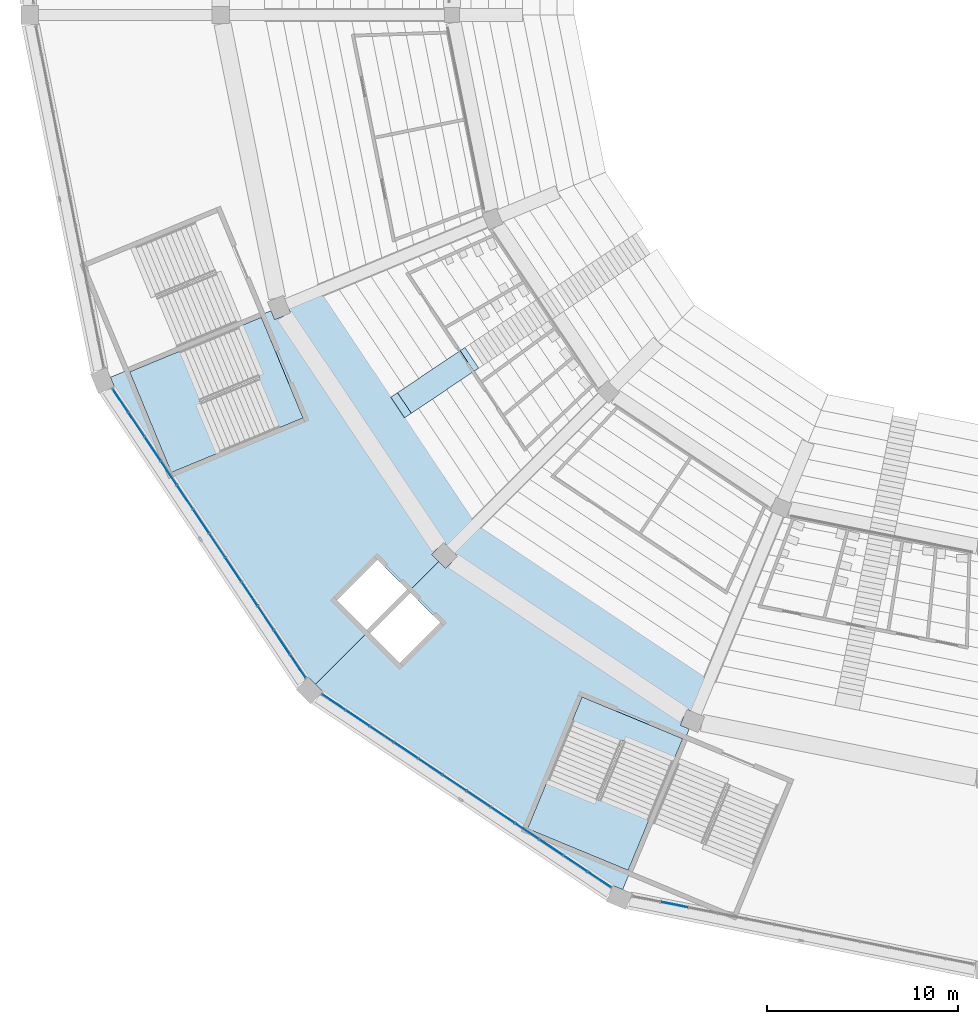
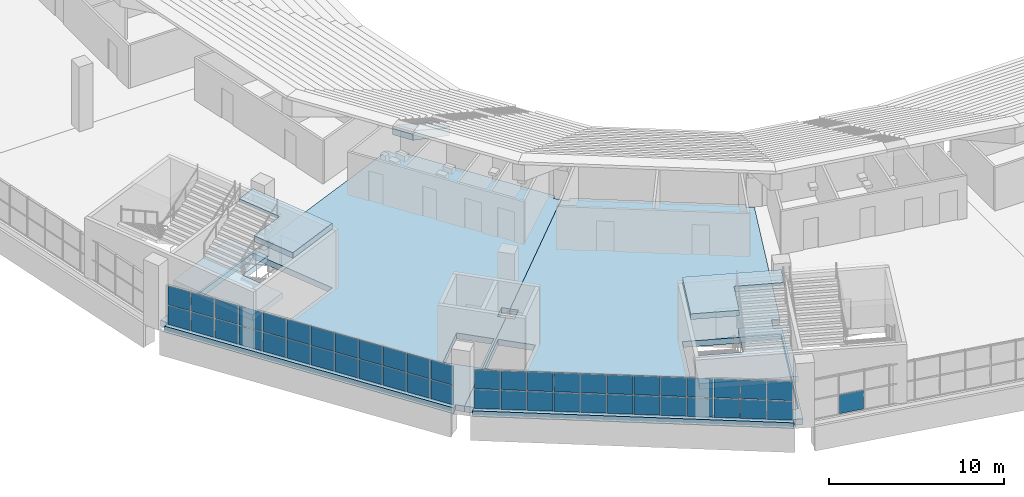
# One storey, part 62 of 249: 49 plates, 7 slabs, 5 elements without a shape of their own.
"""IFC4 building model written with IfcOpenShell, lengths in metres."""

from ifc_helpers import new_model, si_unit, direction, frame, origin, origin_2d, place, context, subcontext, project, spatial, polyline, rectangle, outline, extrude, material, layer, layer_set, type_object, element, aggregate, save


model = new_model("IFC4")

# Units and contexts
model_context = context("Model", 3, precision=1e-05, world=origin(), true_north=direction((0.0, 1.0)))
body_context = subcontext(model_context, "Body", "Model", "MODEL_VIEW")
ifc_project = project(units=[si_unit("LENGTHUNIT", "METRE"), si_unit("AREAUNIT", "SQUARE_METRE"), si_unit("VOLUMEUNIT", "CUBIC_METRE"), si_unit("PLANEANGLEUNIT", "RADIAN"), si_unit("MASSUNIT", "GRAM", prefix="KILO")], contexts=[model_context])

# Site, building, storey
site_placement = place(None, origin())
site = spatial("IfcSite", under=ifc_project, at=site_placement, CompositionType="ELEMENT")
building_placement = place(site_placement, origin())
building = spatial("IfcBuilding", under=site, at=building_placement, Name="Ogive Plaza Stadium", CompositionType="ELEMENT")
storey_placement = place(building_placement, frame((0.0, 0.0, 13.5)))
storey = spatial("IfcBuildingStorey", under=building, at=storey_placement, Name="L03", CompositionType="ELEMENT", Elevation=13.5)

# Slab
ifc_material_1 = material(Name="Concrete C40/50", Category="concrete")
ifc_layer_1 = layer(ifc_material_1, 0.81640625)
ifc_layer_set_1 = layer_set([ifc_layer_1], Name="Concrete C40/50")
ifc_layer_2 = layer(ifc_material_1, 0.449951171875)
ifc_layer_set_2 = layer_set([ifc_layer_2], Name="Concrete C40/50")
slab_type_1 = type_object("IfcSlabType", Name="Aisle stair slab 1300", PredefinedType="USERDEFINED", material=ifc_layer_set_2)
slab_1_placement = place(storey_placement, frame((-60.8564453125, -70.44482421875, -13.5), z_axis=(0.0, 0.0, 1.0), x_axis=(-0.831469612303, -0.55557023302, 0.0)))
element("IfcSlab", 1, at=slab_1_placement, inside=storey, type_object=slab_type_1, material=ifc_layer_set_1, Name="Aisle stair SA19U slab 3", ObjectType="AISLE STAIR SLAB", PredefinedType="USERDEFINED", context=body_context, shape_type="SweptSolid", body=[
    extrude(outline(polyline([(0.0, 20.0), (0.2958984375, 20.0), (4.25, 22.325927734375), (4.675537109375, 22.325927734375), (4.675537109375, 21.897705078125), (4.64990234375, 21.88330078125), (4.5, 21.800048828125), (4.35009765625, 21.716796875), (4.199951171875, 21.63330078125), (4.050048828125, 21.550048828125), (3.89990234375, 21.466796875), (3.75, 21.38330078125), (3.60009765625, 21.300048828125), (3.449951171875, 21.216796875), (3.300048828125, 21.13330078125), (3.14990234375, 21.050048828125), (3.0, 20.966796875), (2.85009765625, 20.88330078125), (2.699951171875, 20.800048828125), (2.550048828125, 20.716796875), (2.39990234375, 20.63330078125), (2.25, 20.550048828125), (2.10009765625, 20.466796875), (1.949951171875, 20.38330078125), (1.800048828125, 20.300048828125), (1.64990234375, 20.216796875), (1.5, 20.13330078125), (1.35009765625, 20.050048828125), (1.199951171875, 19.966796875), (1.050048828125, 19.88330078125), (0.89990234375, 19.800048828125), (0.75, 19.716796875), (0.60009765625, 19.63330078125), (0.449951171875, 19.550048828125), (0.300048828125, 19.466796875), (0.14990234375, 19.38330078125), (0.0, 19.300048828125), (0.0, 20.0)])), frame((0.0, 0.64990234375, 0.0), z_axis=(0.0, -1.0, 0.0), x_axis=(1.0, 0.0, 0.0)), (0.0, 0.0, 1.0), 1.300048828125),
])

# Curtain wall, plate
ifc_material_2 = material(Name="Bronze-anodised aluminium with laminated glass", Category="aluminium")
curtain_wall_type = type_object("IfcCurtainWallType", Name="Lancet curtain wall", PredefinedType="NOTDEFINED", material=ifc_material_2)
curtain_wall_1_placement = place(storey_placement, origin())
curtain_wall_1 = element("IfcCurtainWall", 2, at=curtain_wall_1_placement, inside=storey, type_object=curtain_wall_type, Name="CURTAIN WALL B17 L03", PredefinedType="NOTDEFINED")
ifc_material_3 = material(Name="Laminated glass", Category="glass")
ifc_layer_3 = layer(ifc_material_3, 0.028076171875)
ifc_layer_set_3 = layer_set([ifc_layer_3], Name="Laminated glass panel 28")
plate_type = type_object("IfcPlateType", Name="Laminated glass panel 28", PredefinedType="CURTAIN_PANEL", material=ifc_layer_set_3)
plate_1_placement = place(storey_placement, frame((-50.2470703125, -99.064453125, 0.0498046875), z_axis=(0.0, 0.0, 1.0), x_axis=(-0.9807852804, 0.195090322033, 0.0)))
plate_1 = element("IfcPlate", 3, at=plate_1_placement, type_object=plate_type, Name="CW-B17-L03 panel 11.1", PredefinedType="CURTAIN_PANEL", context=body_context, shape_type="SweptSolid", body=[
    extrude(rectangle(XDim=1.472412109375, YDim=0.028076171875, at=origin_2d()), origin(), (0.0, 0.0, 1.0), 1.320068359375),
])
aggregate(curtain_wall_1, [plate_1])

# Curtain wall, plates
curtain_wall_2_placement = place(storey_placement, origin())
curtain_wall_2 = element("IfcCurtainWall", 4, at=curtain_wall_2_placement, inside=storey, type_object=curtain_wall_type, Name="CURTAIN WALL B18 L03", PredefinedType="NOTDEFINED")
plate_2_placement = place(storey_placement, frame((-54.18212890625, -97.753173828125, 0.0498046875), z_axis=(0.0, 0.0, 1.0), x_axis=(-0.831469612303, 0.55557023302, 0.0)))
plate_2 = element("IfcPlate", 5, at=plate_2_placement, type_object=plate_type, Name="CW-B18-L03 panel 1.1", PredefinedType="CURTAIN_PANEL", context=body_context, shape_type="SweptSolid", body=[
    extrude(rectangle(XDim=1.447265625, YDim=0.028076171875, at=origin_2d()), origin(), (0.0, 0.0, 1.0), 1.320068359375),
])
plate_3_placement = place(storey_placement, frame((-54.18212890625, -97.753173828125, 1.419921875), z_axis=(0.0, 0.0, 1.0), x_axis=(-0.831469612303, 0.55557023302, 0.0)))
plate_3 = element("IfcPlate", 6, at=plate_3_placement, type_object=plate_type, Name="CW-B18-L03 panel 1.2", PredefinedType="CURTAIN_PANEL", context=body_context, shape_type="SweptSolid", body=[
    extrude(rectangle(XDim=1.447265625, YDim=0.028076171875, at=origin_2d()), origin(), (0.0, 0.0, 1.0), 1.320068359375),
])
plate_4_placement = place(storey_placement, frame((-55.4375, -96.914306640625, 0.0498046875), z_axis=(0.0, 0.0, 1.0), x_axis=(-0.831469612303, 0.55557023302, 0.0)))
plate_4 = element("IfcPlate", 7, at=plate_4_placement, type_object=plate_type, Name="CW-B18-L03 panel 2.1", PredefinedType="CURTAIN_PANEL", context=body_context, shape_type="SweptSolid", body=[
    extrude(rectangle(XDim=1.472412109375, YDim=0.028076171875, at=origin_2d()), origin(), (0.0, 0.0, 1.0), 1.320068359375),
])
plate_5_placement = place(storey_placement, frame((-55.4375, -96.914306640625, 1.419921875), z_axis=(0.0, 0.0, 1.0), x_axis=(-0.831469612303, 0.55557023302, 0.0)))
plate_5 = element("IfcPlate", 8, at=plate_5_placement, type_object=plate_type, Name="CW-B18-L03 panel 2.2", PredefinedType="CURTAIN_PANEL", context=body_context, shape_type="SweptSolid", body=[
    extrude(rectangle(XDim=1.472412109375, YDim=0.028076171875, at=origin_2d()), origin(), (0.0, 0.0, 1.0), 1.320068359375),
])
plate_6_placement = place(storey_placement, frame((-56.703369140625, -96.068603515625, 0.0498046875), z_axis=(0.0, 0.0, 1.0), x_axis=(-0.831469612303, 0.55557023302, 0.0)))
plate_6 = element("IfcPlate", 9, at=plate_6_placement, type_object=plate_type, Name="CW-B18-L03 panel 3.1", PredefinedType="CURTAIN_PANEL", context=body_context, shape_type="SweptSolid", body=[
    extrude(rectangle(XDim=1.472412109375, YDim=0.028076171875, at=origin_2d()), origin(), (0.0, 0.0, 1.0), 1.320068359375),
])
plate_7_placement = place(storey_placement, frame((-56.703369140625, -96.068603515625, 1.419921875), z_axis=(0.0, 0.0, 1.0), x_axis=(-0.831469612303, 0.55557023302, 0.0)))
plate_7 = element("IfcPlate", 10, at=plate_7_placement, type_object=plate_type, Name="CW-B18-L03 panel 3.2", PredefinedType="CURTAIN_PANEL", context=body_context, shape_type="SweptSolid", body=[
    extrude(rectangle(XDim=1.472412109375, YDim=0.028076171875, at=origin_2d()), origin(), (0.0, 0.0, 1.0), 1.320068359375),
])
plate_8_placement = place(storey_placement, frame((-57.96923828125, -95.222900390625, 0.0498046875), z_axis=(0.0, 0.0, 1.0), x_axis=(-0.831469612303, 0.55557023302, 0.0)))
plate_8 = element("IfcPlate", 11, at=plate_8_placement, type_object=plate_type, Name="CW-B18-L03 panel 4.1", PredefinedType="CURTAIN_PANEL", context=body_context, shape_type="SweptSolid", body=[
    extrude(rectangle(XDim=1.472412109375, YDim=0.028076171875, at=origin_2d()), origin(), (0.0, 0.0, 1.0), 1.320068359375),
])
plate_9_placement = place(storey_placement, frame((-57.96923828125, -95.222900390625, 1.419921875), z_axis=(0.0, 0.0, 1.0), x_axis=(-0.831469612303, 0.55557023302, 0.0)))
plate_9 = element("IfcPlate", 12, at=plate_9_placement, type_object=plate_type, Name="CW-B18-L03 panel 4.2", PredefinedType="CURTAIN_PANEL", context=body_context, shape_type="SweptSolid", body=[
    extrude(rectangle(XDim=1.472412109375, YDim=0.028076171875, at=origin_2d()), origin(), (0.0, 0.0, 1.0), 1.320068359375),
])
plate_10_placement = place(storey_placement, frame((-59.23486328125, -94.376953125, 0.0498046875), z_axis=(0.0, 0.0, 1.0), x_axis=(-0.831469612303, 0.55557023302, 0.0)))
plate_10 = element("IfcPlate", 13, at=plate_10_placement, type_object=plate_type, Name="CW-B18-L03 panel 5.1", PredefinedType="CURTAIN_PANEL", context=body_context, shape_type="SweptSolid", body=[
    extrude(rectangle(XDim=1.472412109375, YDim=0.028076171875, at=origin_2d()), origin(), (0.0, 0.0, 1.0), 1.320068359375),
])
plate_11_placement = place(storey_placement, frame((-59.23486328125, -94.376953125, 1.419921875), z_axis=(0.0, 0.0, 1.0), x_axis=(-0.831469612303, 0.55557023302, 0.0)))
plate_11 = element("IfcPlate", 14, at=plate_11_placement, type_object=plate_type, Name="CW-B18-L03 panel 5.2", PredefinedType="CURTAIN_PANEL", context=body_context, shape_type="SweptSolid", body=[
    extrude(rectangle(XDim=1.472412109375, YDim=0.028076171875, at=origin_2d()), origin(), (0.0, 0.0, 1.0), 1.320068359375),
])
plate_12_placement = place(storey_placement, frame((-60.500732421875, -93.53125, 0.0498046875), z_axis=(0.0, 0.0, 1.0), x_axis=(-0.831469612303, 0.55557023302, 0.0)))
plate_12 = element("IfcPlate", 15, at=plate_12_placement, type_object=plate_type, Name="CW-B18-L03 panel 6.1", PredefinedType="CURTAIN_PANEL", context=body_context, shape_type="SweptSolid", body=[
    extrude(rectangle(XDim=1.472412109375, YDim=0.028076171875, at=origin_2d()), origin(), (0.0, 0.0, 1.0), 1.320068359375),
])
plate_13_placement = place(storey_placement, frame((-60.500732421875, -93.53125, 1.419921875), z_axis=(0.0, 0.0, 1.0), x_axis=(-0.831469612303, 0.55557023302, 0.0)))
plate_13 = element("IfcPlate", 16, at=plate_13_placement, type_object=plate_type, Name="CW-B18-L03 panel 6.2", PredefinedType="CURTAIN_PANEL", context=body_context, shape_type="SweptSolid", body=[
    extrude(rectangle(XDim=1.472412109375, YDim=0.028076171875, at=origin_2d()), origin(), (0.0, 0.0, 1.0), 1.320068359375),
])
plate_14_placement = place(storey_placement, frame((-61.7666015625, -92.685546875, 0.0498046875), z_axis=(0.0, 0.0, 1.0), x_axis=(-0.831469612303, 0.55557023302, 0.0)))
plate_14 = element("IfcPlate", 17, at=plate_14_placement, type_object=plate_type, Name="CW-B18-L03 panel 7.1", PredefinedType="CURTAIN_PANEL", context=body_context, shape_type="SweptSolid", body=[
    extrude(rectangle(XDim=1.472412109375, YDim=0.028076171875, at=origin_2d()), origin(), (0.0, 0.0, 1.0), 1.320068359375),
])
plate_15_placement = place(storey_placement, frame((-61.7666015625, -92.685546875, 1.419921875), z_axis=(0.0, 0.0, 1.0), x_axis=(-0.831469612303, 0.55557023302, 0.0)))
plate_15 = element("IfcPlate", 18, at=plate_15_placement, type_object=plate_type, Name="CW-B18-L03 panel 7.2", PredefinedType="CURTAIN_PANEL", context=body_context, shape_type="SweptSolid", body=[
    extrude(rectangle(XDim=1.472412109375, YDim=0.028076171875, at=origin_2d()), origin(), (0.0, 0.0, 1.0), 1.320068359375),
])
plate_16_placement = place(storey_placement, frame((-63.0322265625, -91.839599609375, 0.0498046875), z_axis=(0.0, 0.0, 1.0), x_axis=(-0.831469612303, 0.55557023302, 0.0)))
plate_16 = element("IfcPlate", 19, at=plate_16_placement, type_object=plate_type, Name="CW-B18-L03 panel 8.1", PredefinedType="CURTAIN_PANEL", context=body_context, shape_type="SweptSolid", body=[
    extrude(rectangle(XDim=1.472412109375, YDim=0.028076171875, at=origin_2d()), origin(), (0.0, 0.0, 1.0), 1.320068359375),
])
plate_17_placement = place(storey_placement, frame((-63.0322265625, -91.839599609375, 1.419921875), z_axis=(0.0, 0.0, 1.0), x_axis=(-0.831469612303, 0.55557023302, 0.0)))
plate_17 = element("IfcPlate", 20, at=plate_17_placement, type_object=plate_type, Name="CW-B18-L03 panel 8.2", PredefinedType="CURTAIN_PANEL", context=body_context, shape_type="SweptSolid", body=[
    extrude(rectangle(XDim=1.472412109375, YDim=0.028076171875, at=origin_2d()), origin(), (0.0, 0.0, 1.0), 1.320068359375),
])
plate_18_placement = place(storey_placement, frame((-64.298095703125, -90.993896484375, 0.0498046875), z_axis=(0.0, 0.0, 1.0), x_axis=(-0.831469612303, 0.55557023302, 0.0)))
plate_18 = element("IfcPlate", 21, at=plate_18_placement, type_object=plate_type, Name="CW-B18-L03 panel 9.1", PredefinedType="CURTAIN_PANEL", context=body_context, shape_type="SweptSolid", body=[
    extrude(rectangle(XDim=1.472412109375, YDim=0.028076171875, at=origin_2d()), origin(), (0.0, 0.0, 1.0), 1.320068359375),
])
plate_19_placement = place(storey_placement, frame((-64.298095703125, -90.993896484375, 1.419921875), z_axis=(0.0, 0.0, 1.0), x_axis=(-0.831469612303, 0.55557023302, 0.0)))
plate_19 = element("IfcPlate", 22, at=plate_19_placement, type_object=plate_type, Name="CW-B18-L03 panel 9.2", PredefinedType="CURTAIN_PANEL", context=body_context, shape_type="SweptSolid", body=[
    extrude(rectangle(XDim=1.472412109375, YDim=0.028076171875, at=origin_2d()), origin(), (0.0, 0.0, 1.0), 1.320068359375),
])
plate_20_placement = place(storey_placement, frame((-65.56396484375, -90.148193359375, 0.0498046875), z_axis=(0.0, 0.0, 1.0), x_axis=(-0.831469612303, 0.55557023302, 0.0)))
plate_20 = element("IfcPlate", 23, at=plate_20_placement, type_object=plate_type, Name="CW-B18-L03 panel 10.1", PredefinedType="CURTAIN_PANEL", context=body_context, shape_type="SweptSolid", body=[
    extrude(rectangle(XDim=1.472412109375, YDim=0.028076171875, at=origin_2d()), origin(), (0.0, 0.0, 1.0), 1.320068359375),
])
plate_21_placement = place(storey_placement, frame((-65.56396484375, -90.148193359375, 1.419921875), z_axis=(0.0, 0.0, 1.0), x_axis=(-0.831469612303, 0.55557023302, 0.0)))
plate_21 = element("IfcPlate", 24, at=plate_21_placement, type_object=plate_type, Name="CW-B18-L03 panel 10.2", PredefinedType="CURTAIN_PANEL", context=body_context, shape_type="SweptSolid", body=[
    extrude(rectangle(XDim=1.472412109375, YDim=0.028076171875, at=origin_2d()), origin(), (0.0, 0.0, 1.0), 1.320068359375),
])
plate_22_placement = place(storey_placement, frame((-66.82958984375, -89.302490234375, 0.0498046875), z_axis=(0.0, 0.0, 1.0), x_axis=(-0.831469612303, 0.55557023302, 0.0)))
plate_22 = element("IfcPlate", 25, at=plate_22_placement, type_object=plate_type, Name="CW-B18-L03 panel 11.1", PredefinedType="CURTAIN_PANEL", context=body_context, shape_type="SweptSolid", body=[
    extrude(rectangle(XDim=1.472412109375, YDim=0.028076171875, at=origin_2d()), origin(), (0.0, 0.0, 1.0), 1.320068359375),
])
plate_23_placement = place(storey_placement, frame((-66.82958984375, -89.302490234375, 1.419921875), z_axis=(0.0, 0.0, 1.0), x_axis=(-0.831469612303, 0.55557023302, 0.0)))
plate_23 = element("IfcPlate", 26, at=plate_23_placement, type_object=plate_type, Name="CW-B18-L03 panel 11.2", PredefinedType="CURTAIN_PANEL", context=body_context, shape_type="SweptSolid", body=[
    extrude(rectangle(XDim=1.472412109375, YDim=0.028076171875, at=origin_2d()), origin(), (0.0, 0.0, 1.0), 1.320068359375),
])
plate_24_placement = place(storey_placement, frame((-68.0849609375, -88.463623046875, 0.0498046875), z_axis=(0.0, 0.0, 1.0), x_axis=(-0.831469612303, 0.55557023302, 0.0)))
plate_24 = element("IfcPlate", 27, at=plate_24_placement, type_object=plate_type, Name="CW-B18-L03 panel 12.1", PredefinedType="CURTAIN_PANEL", context=body_context, shape_type="SweptSolid", body=[
    extrude(rectangle(XDim=1.447265625, YDim=0.028076171875, at=origin_2d()), origin(), (0.0, 0.0, 1.0), 1.320068359375),
])
plate_25_placement = place(storey_placement, frame((-68.0849609375, -88.463623046875, 1.419921875), z_axis=(0.0, 0.0, 1.0), x_axis=(-0.831469612303, 0.55557023302, 0.0)))
plate_25 = element("IfcPlate", 28, at=plate_25_placement, type_object=plate_type, Name="CW-B18-L03 panel 12.2", PredefinedType="CURTAIN_PANEL", context=body_context, shape_type="SweptSolid", body=[
    extrude(rectangle(XDim=1.447265625, YDim=0.028076171875, at=origin_2d()), origin(), (0.0, 0.0, 1.0), 1.320068359375),
])
aggregate(curtain_wall_2, [plate_2, plate_3, plate_4, plate_5, plate_6, plate_7, plate_8, plate_9, plate_10, plate_11, plate_12, plate_13, plate_14, plate_15, plate_16, plate_17, plate_18, plate_19, plate_20, plate_21, plate_22, plate_23, plate_24, plate_25])

curtain_wall_3_placement = place(storey_placement, origin())
curtain_wall_3 = element("IfcCurtainWall", 29, at=curtain_wall_3_placement, inside=storey, type_object=curtain_wall_type, Name="CURTAIN WALL B19 L03", PredefinedType="NOTDEFINED")
plate_26_placement = place(storey_placement, frame((-69.963623046875, -86.5849609375, 0.0498046875), z_axis=(0.0, 0.0, 1.0), x_axis=(-0.55557023302, 0.831469612303, 0.0)))
plate_26 = element("IfcPlate", 30, at=plate_26_placement, type_object=plate_type, Name="CW-B19-L03 panel 1.1", PredefinedType="CURTAIN_PANEL", context=body_context, shape_type="SweptSolid", body=[
    extrude(rectangle(XDim=1.447265625, YDim=0.028076171875, at=origin_2d()), origin(), (0.0, 0.0, 1.0), 1.320068359375),
])
plate_27_placement = place(storey_placement, frame((-69.963623046875, -86.5849609375, 1.419921875), z_axis=(0.0, 0.0, 1.0), x_axis=(-0.55557023302, 0.831469612303, 0.0)))
plate_27 = element("IfcPlate", 31, at=plate_27_placement, type_object=plate_type, Name="CW-B19-L03 panel 1.2", PredefinedType="CURTAIN_PANEL", context=body_context, shape_type="SweptSolid", body=[
    extrude(rectangle(XDim=1.447265625, YDim=0.028076171875, at=origin_2d()), origin(), (0.0, 0.0, 1.0), 1.320068359375),
])
plate_28_placement = place(storey_placement, frame((-70.802490234375, -85.32958984375, 0.0498046875), z_axis=(0.0, 0.0, 1.0), x_axis=(-0.55557023302, 0.831469612303, 0.0)))
plate_28 = element("IfcPlate", 32, at=plate_28_placement, type_object=plate_type, Name="CW-B19-L03 panel 2.1", PredefinedType="CURTAIN_PANEL", context=body_context, shape_type="SweptSolid", body=[
    extrude(rectangle(XDim=1.472412109375, YDim=0.028076171875, at=origin_2d()), origin(), (0.0, 0.0, 1.0), 1.320068359375),
])
plate_29_placement = place(storey_placement, frame((-70.802490234375, -85.32958984375, 1.419921875), z_axis=(0.0, 0.0, 1.0), x_axis=(-0.55557023302, 0.831469612303, 0.0)))
plate_29 = element("IfcPlate", 33, at=plate_29_placement, type_object=plate_type, Name="CW-B19-L03 panel 2.2", PredefinedType="CURTAIN_PANEL", context=body_context, shape_type="SweptSolid", body=[
    extrude(rectangle(XDim=1.472412109375, YDim=0.028076171875, at=origin_2d()), origin(), (0.0, 0.0, 1.0), 1.320068359375),
])
plate_30_placement = place(storey_placement, frame((-71.648193359375, -84.06396484375, 0.0498046875), z_axis=(0.0, 0.0, 1.0), x_axis=(-0.55557023302, 0.831469612303, 0.0)))
plate_30 = element("IfcPlate", 34, at=plate_30_placement, type_object=plate_type, Name="CW-B19-L03 panel 3.1", PredefinedType="CURTAIN_PANEL", context=body_context, shape_type="SweptSolid", body=[
    extrude(rectangle(XDim=1.472412109375, YDim=0.028076171875, at=origin_2d()), origin(), (0.0, 0.0, 1.0), 1.320068359375),
])
plate_31_placement = place(storey_placement, frame((-71.648193359375, -84.06396484375, 1.419921875), z_axis=(0.0, 0.0, 1.0), x_axis=(-0.55557023302, 0.831469612303, 0.0)))
plate_31 = element("IfcPlate", 35, at=plate_31_placement, type_object=plate_type, Name="CW-B19-L03 panel 3.2", PredefinedType="CURTAIN_PANEL", context=body_context, shape_type="SweptSolid", body=[
    extrude(rectangle(XDim=1.472412109375, YDim=0.028076171875, at=origin_2d()), origin(), (0.0, 0.0, 1.0), 1.320068359375),
])
plate_32_placement = place(storey_placement, frame((-72.493896484375, -82.798095703125, 0.0498046875), z_axis=(0.0, 0.0, 1.0), x_axis=(-0.55557023302, 0.831469612303, 0.0)))
plate_32 = element("IfcPlate", 36, at=plate_32_placement, type_object=plate_type, Name="CW-B19-L03 panel 4.1", PredefinedType="CURTAIN_PANEL", context=body_context, shape_type="SweptSolid", body=[
    extrude(rectangle(XDim=1.472412109375, YDim=0.028076171875, at=origin_2d()), origin(), (0.0, 0.0, 1.0), 1.320068359375),
])
plate_33_placement = place(storey_placement, frame((-72.493896484375, -82.798095703125, 1.419921875), z_axis=(0.0, 0.0, 1.0), x_axis=(-0.55557023302, 0.831469612303, 0.0)))
plate_33 = element("IfcPlate", 37, at=plate_33_placement, type_object=plate_type, Name="CW-B19-L03 panel 4.2", PredefinedType="CURTAIN_PANEL", context=body_context, shape_type="SweptSolid", body=[
    extrude(rectangle(XDim=1.472412109375, YDim=0.028076171875, at=origin_2d()), origin(), (0.0, 0.0, 1.0), 1.320068359375),
])
plate_34_placement = place(storey_placement, frame((-73.339599609375, -81.5322265625, 0.0498046875), z_axis=(0.0, 0.0, 1.0), x_axis=(-0.55557023302, 0.831469612303, 0.0)))
plate_34 = element("IfcPlate", 38, at=plate_34_placement, type_object=plate_type, Name="CW-B19-L03 panel 5.1", PredefinedType="CURTAIN_PANEL", context=body_context, shape_type="SweptSolid", body=[
    extrude(rectangle(XDim=1.472412109375, YDim=0.028076171875, at=origin_2d()), origin(), (0.0, 0.0, 1.0), 1.320068359375),
])
plate_35_placement = place(storey_placement, frame((-73.339599609375, -81.5322265625, 1.419921875), z_axis=(0.0, 0.0, 1.0), x_axis=(-0.55557023302, 0.831469612303, 0.0)))
plate_35 = element("IfcPlate", 39, at=plate_35_placement, type_object=plate_type, Name="CW-B19-L03 panel 5.2", PredefinedType="CURTAIN_PANEL", context=body_context, shape_type="SweptSolid", body=[
    extrude(rectangle(XDim=1.472412109375, YDim=0.028076171875, at=origin_2d()), origin(), (0.0, 0.0, 1.0), 1.320068359375),
])
plate_36_placement = place(storey_placement, frame((-74.185546875, -80.2666015625, 0.0498046875), z_axis=(0.0, 0.0, 1.0), x_axis=(-0.55557023302, 0.831469612303, 0.0)))
plate_36 = element("IfcPlate", 40, at=plate_36_placement, type_object=plate_type, Name="CW-B19-L03 panel 6.1", PredefinedType="CURTAIN_PANEL", context=body_context, shape_type="SweptSolid", body=[
    extrude(rectangle(XDim=1.472412109375, YDim=0.028076171875, at=origin_2d()), origin(), (0.0, 0.0, 1.0), 1.320068359375),
])
plate_37_placement = place(storey_placement, frame((-74.185546875, -80.2666015625, 1.419921875), z_axis=(0.0, 0.0, 1.0), x_axis=(-0.55557023302, 0.831469612303, 0.0)))
plate_37 = element("IfcPlate", 41, at=plate_37_placement, type_object=plate_type, Name="CW-B19-L03 panel 6.2", PredefinedType="CURTAIN_PANEL", context=body_context, shape_type="SweptSolid", body=[
    extrude(rectangle(XDim=1.472412109375, YDim=0.028076171875, at=origin_2d()), origin(), (0.0, 0.0, 1.0), 1.320068359375),
])
plate_38_placement = place(storey_placement, frame((-75.03125, -79.000732421875, 0.0498046875), z_axis=(0.0, 0.0, 1.0), x_axis=(-0.55557023302, 0.831469612303, 0.0)))
plate_38 = element("IfcPlate", 42, at=plate_38_placement, type_object=plate_type, Name="CW-B19-L03 panel 7.1", PredefinedType="CURTAIN_PANEL", context=body_context, shape_type="SweptSolid", body=[
    extrude(rectangle(XDim=1.472412109375, YDim=0.028076171875, at=origin_2d()), origin(), (0.0, 0.0, 1.0), 1.320068359375),
])
plate_39_placement = place(storey_placement, frame((-75.03125, -79.000732421875, 1.419921875), z_axis=(0.0, 0.0, 1.0), x_axis=(-0.55557023302, 0.831469612303, 0.0)))
plate_39 = element("IfcPlate", 43, at=plate_39_placement, type_object=plate_type, Name="CW-B19-L03 panel 7.2", PredefinedType="CURTAIN_PANEL", context=body_context, shape_type="SweptSolid", body=[
    extrude(rectangle(XDim=1.472412109375, YDim=0.028076171875, at=origin_2d()), origin(), (0.0, 0.0, 1.0), 1.320068359375),
])
plate_40_placement = place(storey_placement, frame((-75.876953125, -77.73486328125, 0.0498046875), z_axis=(0.0, 0.0, 1.0), x_axis=(-0.55557023302, 0.831469612303, 0.0)))
plate_40 = element("IfcPlate", 44, at=plate_40_placement, type_object=plate_type, Name="CW-B19-L03 panel 8.1", PredefinedType="CURTAIN_PANEL", context=body_context, shape_type="SweptSolid", body=[
    extrude(rectangle(XDim=1.472412109375, YDim=0.028076171875, at=origin_2d()), origin(), (0.0, 0.0, 1.0), 1.320068359375),
])
plate_41_placement = place(storey_placement, frame((-75.876953125, -77.73486328125, 1.419921875), z_axis=(0.0, 0.0, 1.0), x_axis=(-0.55557023302, 0.831469612303, 0.0)))
plate_41 = element("IfcPlate", 45, at=plate_41_placement, type_object=plate_type, Name="CW-B19-L03 panel 8.2", PredefinedType="CURTAIN_PANEL", context=body_context, shape_type="SweptSolid", body=[
    extrude(rectangle(XDim=1.472412109375, YDim=0.028076171875, at=origin_2d()), origin(), (0.0, 0.0, 1.0), 1.320068359375),
])
plate_42_placement = place(storey_placement, frame((-76.722900390625, -76.46923828125, 0.0498046875), z_axis=(0.0, 0.0, 1.0), x_axis=(-0.55557023302, 0.831469612303, 0.0)))
plate_42 = element("IfcPlate", 46, at=plate_42_placement, type_object=plate_type, Name="CW-B19-L03 panel 9.1", PredefinedType="CURTAIN_PANEL", context=body_context, shape_type="SweptSolid", body=[
    extrude(rectangle(XDim=1.472412109375, YDim=0.028076171875, at=origin_2d()), origin(), (0.0, 0.0, 1.0), 1.320068359375),
])
plate_43_placement = place(storey_placement, frame((-76.722900390625, -76.46923828125, 1.419921875), z_axis=(0.0, 0.0, 1.0), x_axis=(-0.55557023302, 0.831469612303, 0.0)))
plate_43 = element("IfcPlate", 47, at=plate_43_placement, type_object=plate_type, Name="CW-B19-L03 panel 9.2", PredefinedType="CURTAIN_PANEL", context=body_context, shape_type="SweptSolid", body=[
    extrude(rectangle(XDim=1.472412109375, YDim=0.028076171875, at=origin_2d()), origin(), (0.0, 0.0, 1.0), 1.320068359375),
])
plate_44_placement = place(storey_placement, frame((-77.568603515625, -75.203369140625, 0.0498046875), z_axis=(0.0, 0.0, 1.0), x_axis=(-0.55557023302, 0.831469612303, 0.0)))
plate_44 = element("IfcPlate", 48, at=plate_44_placement, type_object=plate_type, Name="CW-B19-L03 panel 10.1", PredefinedType="CURTAIN_PANEL", context=body_context, shape_type="SweptSolid", body=[
    extrude(rectangle(XDim=1.472412109375, YDim=0.028076171875, at=origin_2d()), origin(), (0.0, 0.0, 1.0), 1.320068359375),
])
plate_45_placement = place(storey_placement, frame((-77.568603515625, -75.203369140625, 1.419921875), z_axis=(0.0, 0.0, 1.0), x_axis=(-0.55557023302, 0.831469612303, 0.0)))
plate_45 = element("IfcPlate", 49, at=plate_45_placement, type_object=plate_type, Name="CW-B19-L03 panel 10.2", PredefinedType="CURTAIN_PANEL", context=body_context, shape_type="SweptSolid", body=[
    extrude(rectangle(XDim=1.472412109375, YDim=0.028076171875, at=origin_2d()), origin(), (0.0, 0.0, 1.0), 1.320068359375),
])
plate_46_placement = place(storey_placement, frame((-78.414306640625, -73.9375, 0.0498046875), z_axis=(0.0, 0.0, 1.0), x_axis=(-0.55557023302, 0.831469612303, 0.0)))
plate_46 = element("IfcPlate", 50, at=plate_46_placement, type_object=plate_type, Name="CW-B19-L03 panel 11.1", PredefinedType="CURTAIN_PANEL", context=body_context, shape_type="SweptSolid", body=[
    extrude(rectangle(XDim=1.472412109375, YDim=0.028076171875, at=origin_2d()), origin(), (0.0, 0.0, 1.0), 1.320068359375),
])
plate_47_placement = place(storey_placement, frame((-78.414306640625, -73.9375, 1.419921875), z_axis=(0.0, 0.0, 1.0), x_axis=(-0.55557023302, 0.831469612303, 0.0)))
plate_47 = element("IfcPlate", 51, at=plate_47_placement, type_object=plate_type, Name="CW-B19-L03 panel 11.2", PredefinedType="CURTAIN_PANEL", context=body_context, shape_type="SweptSolid", body=[
    extrude(rectangle(XDim=1.472412109375, YDim=0.028076171875, at=origin_2d()), origin(), (0.0, 0.0, 1.0), 1.320068359375),
])
plate_48_placement = place(storey_placement, frame((-79.253173828125, -72.68212890625, 0.0498046875), z_axis=(0.0, 0.0, 1.0), x_axis=(-0.55557023302, 0.831469612303, 0.0)))
plate_48 = element("IfcPlate", 52, at=plate_48_placement, type_object=plate_type, Name="CW-B19-L03 panel 12.1", PredefinedType="CURTAIN_PANEL", context=body_context, shape_type="SweptSolid", body=[
    extrude(rectangle(XDim=1.447265625, YDim=0.028076171875, at=origin_2d()), origin(), (0.0, 0.0, 1.0), 1.320068359375),
])
plate_49_placement = place(storey_placement, frame((-79.253173828125, -72.68212890625, 1.419921875), z_axis=(0.0, 0.0, 1.0), x_axis=(-0.55557023302, 0.831469612303, 0.0)))
plate_49 = element("IfcPlate", 53, at=plate_49_placement, type_object=plate_type, Name="CW-B19-L03 panel 12.2", PredefinedType="CURTAIN_PANEL", context=body_context, shape_type="SweptSolid", body=[
    extrude(rectangle(XDim=1.447265625, YDim=0.028076171875, at=origin_2d()), origin(), (0.0, 0.0, 1.0), 1.320068359375),
])
aggregate(curtain_wall_3, [plate_26, plate_27, plate_28, plate_29, plate_30, plate_31, plate_32, plate_33, plate_34, plate_35, plate_36, plate_37, plate_38, plate_39, plate_40, plate_41, plate_42, plate_43, plate_44, plate_45, plate_46, plate_47, plate_48, plate_49])

# Slabs
ifc_material_4 = material(Name="Concrete C40/50", Category="concrete")
ifc_layer_4 = layer(ifc_material_4, 0.409912109375)
ifc_layer_set_4 = layer_set([ifc_layer_4], Name="Concrete C40/50")
slab_type_2 = type_object("IfcSlabType", Name="RC floor slab 410", PredefinedType="FLOOR", material=ifc_layer_set_4)
slab_2_placement = place(storey_placement, frame((0.0, 0.0, -0.409912109375)))
element("IfcSlab", 54, at=slab_2_placement, inside=storey, type_object=slab_type_2, Name="Floor slab L03 B18", PredefinedType="FLOOR", context=body_context, shape_type="SweptSolid", body=[
    extrude(outline(polyline([(-61.966064453125, -80.466064453125), (-61.612548828125, -80.819580078125), (-62.2490234375, -81.4560546875), (-62.6025390625, -81.1025390625), (-69.037109375, -87.537109375), (-68.648193359375, -87.926025390625), (-68.88916015625, -88.1669921875), (-53.600341796875, -98.38232421875), (-53.47021484375, -98.06787109375), (-52.9619140625, -98.2783203125), (-49.4794921875, -89.870849609375), (-49.94140625, -89.6796875), (-49.59716796875, -88.84814453125), (-49.135009765625, -89.03955078125), (-44.829833984375, -78.645751953125), (-45.24560546875, -78.4736328125), (-45.135009765625, -78.2060546875), (-53.48828125, -72.62451171875), (-53.69287109375, -72.829345703125), (-54.01123046875, -72.51123046875), (-61.966064453125, -80.466064453125)]), holes=[polyline([(-55.0908203125, -88.196044921875), (-57.945556640625, -95.08837890625), (-52.679443359375, -97.26953125), (-49.82470703125, -90.37744140625), (-55.0908203125, -88.196044921875)]), polyline([(-62.51416015625, -84.30224609375), (-64.06982421875, -82.74658203125), (-66.19091796875, -84.867919921875), (-64.635498046875, -86.42333984375), (-62.51416015625, -84.30224609375)])]), origin(), (0.0, 0.0, 1.0), 0.409912109375),
])
slab_3_placement = place(storey_placement, frame((0.0, 0.0, -0.409912109375)))
element("IfcSlab", 55, at=slab_3_placement, inside=storey, type_object=slab_type_2, Name="Floor slab L03 B19", PredefinedType="FLOOR", context=body_context, shape_type="SweptSolid", body=[
    extrude(outline(polyline([(-70.53955078125, -67.635009765625), (-70.34814453125, -68.09716796875), (-71.1796875, -68.44140625), (-71.370849609375, -67.9794921875), (-79.7783203125, -71.4619140625), (-79.56787109375, -71.97021484375), (-79.88232421875, -72.100341796875), (-69.6669921875, -87.38916015625), (-69.426025390625, -87.148193359375), (-69.037109375, -87.537109375), (-62.6025390625, -81.1025390625), (-62.9560546875, -80.7490234375), (-62.319580078125, -80.112548828125), (-61.966064453125, -80.466064453125), (-54.01123046875, -72.51123046875), (-54.329345703125, -72.19287109375), (-54.12451171875, -71.98828125), (-59.7060546875, -63.635009765625), (-59.9736328125, -63.74560546875), (-60.145751953125, -63.329833984375), (-70.53955078125, -67.635009765625)]), holes=[polyline([(-64.24658203125, -82.56982421875), (-65.80224609375, -81.01416015625), (-67.92333984375, -83.135498046875), (-66.367919921875, -84.69091796875), (-64.24658203125, -82.56982421875)]), polyline([(-69.696044921875, -73.5908203125), (-71.87744140625, -68.32470703125), (-78.76953125, -71.179443359375), (-76.58837890625, -76.445556640625), (-69.696044921875, -73.5908203125)])]), origin(), (0.0, 0.0, 1.0), 0.409912109375),
])

# Stair, slabs
ifc_material_5 = material(Name="Concrete C40/50", Category="concrete")
stair_type = type_object("IfcStairType", Name="Exit stair", PredefinedType="STRAIGHT_RUN_STAIR", material=ifc_material_5)
stair_1_placement = place(storey_placement, origin())
stair_1 = element("IfcStair", 56, at=stair_1_placement, inside=storey, type_object=stair_type, Name="Exit stair ST18A L03 to L04", PredefinedType="STRAIGHT_RUN_STAIR")
ifc_material_6 = material(Name="Concrete C40/50", Category="concrete")
ifc_layer_5 = layer(ifc_material_6, 0.39990234375)
ifc_layer_set_5 = layer_set([ifc_layer_5], Name="Concrete C40/50")
slab_type_3 = type_object("IfcSlabType", Name="Stair landing", PredefinedType="LANDING", material=ifc_layer_set_5)
slab_4_placement = place(storey_placement, frame((0.0, 0.0, 1.85009765625)))
slab_4 = element("IfcSlab", 57, at=slab_4_placement, type_object=slab_type_3, Name="ST18A landing 1", PredefinedType="LANDING", context=body_context, shape_type="SweptSolid", body=[
    extrude(outline(polyline([(-52.679443359375, -97.26953125), (-57.945556640625, -95.08837890625), (-56.8740234375, -92.50146484375), (-54.19482421875, -93.611083984375), (-53.2763671875, -91.393798828125), (-50.689453125, -92.46533203125), (-51.60791015625, -94.6826171875), (-52.679443359375, -97.26953125)])), origin(), (0.0, 0.0, 1.0), 0.39990234375),
])
slab_5_placement = place(storey_placement, frame((0.0, 0.0, 4.10009765625)))
slab_5 = element("IfcSlab", 58, at=slab_5_placement, type_object=slab_type_3, Name="ST18A landing 2", PredefinedType="LANDING", context=body_context, shape_type="SweptSolid", body=[
    extrude(outline(polyline([(-53.919921875, -92.68603515625), (-56.506591796875, -91.614501953125), (-55.588134765625, -89.397216796875), (-55.0908203125, -88.196044921875), (-49.82470703125, -90.37744140625), (-50.322021484375, -91.578369140625), (-53.00146484375, -90.46875), (-53.919921875, -92.68603515625)])), origin(), (0.0, 0.0, 1.0), 0.39990234375),
])
aggregate(stair_1, [slab_4, slab_5])

stair_2_placement = place(storey_placement, origin())
stair_2 = element("IfcStair", 59, at=stair_2_placement, inside=storey, type_object=stair_type, Name="Exit stair ST20B L03 to L04", PredefinedType="STRAIGHT_RUN_STAIR")
slab_6_placement = place(storey_placement, frame((0.0, 0.0, 1.85009765625)))
slab_6 = element("IfcSlab", 60, at=slab_6_placement, type_object=slab_type_3, Name="ST20B landing 1", PredefinedType="LANDING", context=body_context, shape_type="SweptSolid", body=[
    extrude(outline(polyline([(-73.96533203125, -69.189453125), (-72.893798828125, -71.7763671875), (-75.111083984375, -72.69482421875), (-74.00146484375, -75.3740234375), (-76.58837890625, -76.445556640625), (-78.76953125, -71.179443359375), (-76.1826171875, -70.10791015625), (-73.96533203125, -69.189453125)])), origin(), (0.0, 0.0, 1.0), 0.39990234375),
])
slab_7_placement = place(storey_placement, frame((0.0, 0.0, 4.10009765625)))
slab_7 = element("IfcSlab", 61, at=slab_7_placement, type_object=slab_type_3, Name="ST20B landing 2", PredefinedType="LANDING", context=body_context, shape_type="SweptSolid", body=[
    extrude(outline(polyline([(-73.078369140625, -68.822021484375), (-71.87744140625, -68.32470703125), (-69.696044921875, -73.5908203125), (-70.897216796875, -74.088134765625), (-73.114501953125, -75.006591796875), (-74.18603515625, -72.419921875), (-71.96875, -71.50146484375), (-73.078369140625, -68.822021484375)])), origin(), (0.0, 0.0, 1.0), 0.39990234375),
])
aggregate(stair_2, [slab_6, slab_7])

save(model, "model.ifc")
